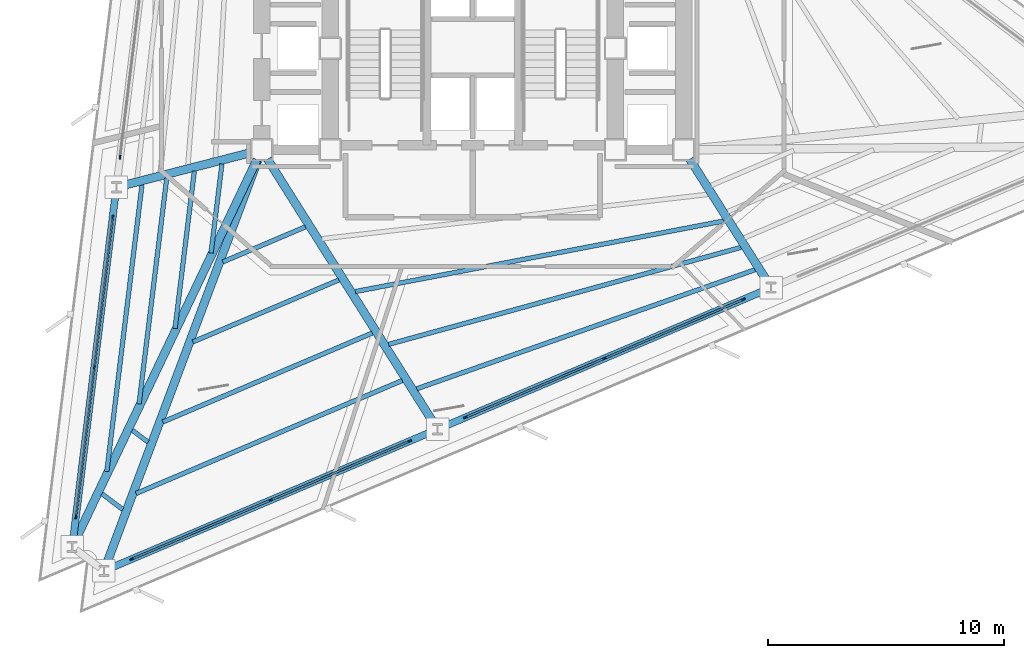
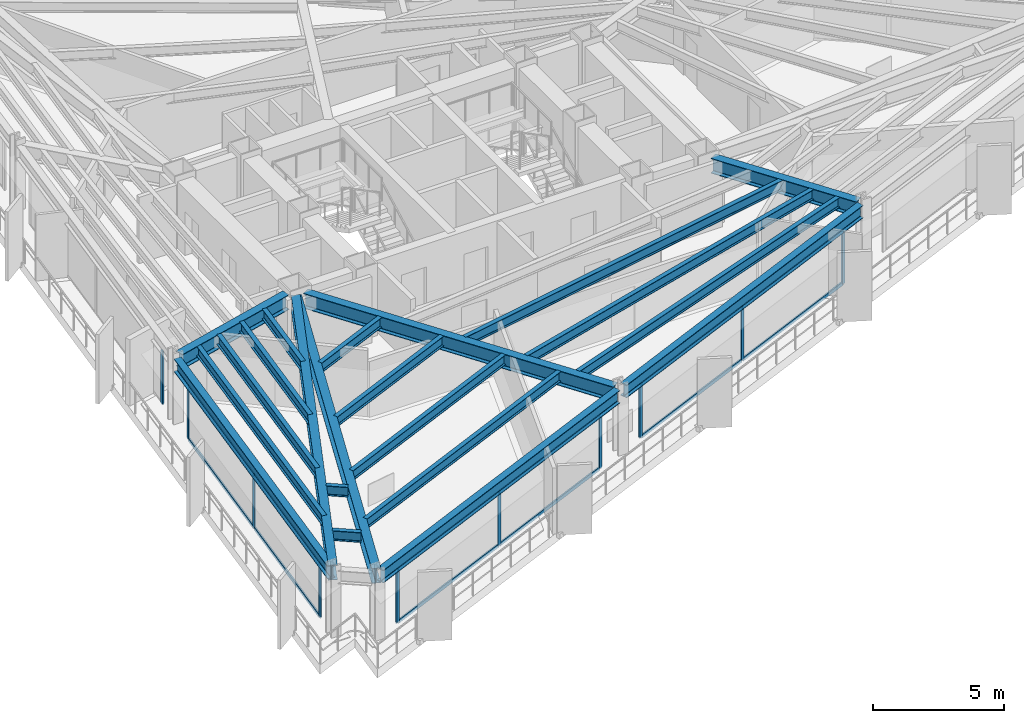
# One storey, part 2 of 13: 22 members, 21 beams, 4 elements without a shape of their own.
"""IFC4 building model written with IfcOpenShell, lengths in metres."""

from ifc_helpers import new_model, si_unit, direction, frame, origin, origin_2d, place, context, subcontext, project, spatial, rectangle, i_section, extrude, material, layer, layer_set, material_profile, profile_set, type_object, element, aggregate, save


model = new_model("IFC4")

# Units and contexts
model_context = context("Model", 3, precision=1e-05, world=origin(), true_north=direction((0.0, 1.0)))
body_context = subcontext(model_context, "Body", "Model", "MODEL_VIEW")
ifc_project = project(units=[si_unit("LENGTHUNIT", "METRE"), si_unit("AREAUNIT", "SQUARE_METRE"), si_unit("VOLUMEUNIT", "CUBIC_METRE"), si_unit("PLANEANGLEUNIT", "RADIAN"), si_unit("MASSUNIT", "GRAM", prefix="KILO")], contexts=[model_context])

# Site, building, storey
site_placement = place(None, origin())
site = spatial("IfcSite", under=ifc_project, at=site_placement, CompositionType="ELEMENT")
building_placement = place(site_placement, origin())
building = spatial("IfcBuilding", under=site, at=building_placement, Name="Rocaltana Carrier Exchange", CompositionType="ELEMENT")
storey_placement = place(building_placement, frame((0.0, 0.0, 49.60009765625)))
storey = spatial("IfcBuildingStorey", under=building, at=storey_placement, Name="L15", CompositionType="ELEMENT", Elevation=49.60009765625)

# Curtain wall, member
ifc_material_1 = material(Name="Aluminium 6063-T6", Category="aluminium")
ifc_layer = layer(ifc_material_1, 0.1650390625)
ifc_layer_set = layer_set([ifc_layer], Name="Aluminium 6063-T6")
curtain_wall_type = type_object("IfcCurtainWallType", Name="Lower-Mid Stepped Curtain Wall CW-02", PredefinedType="NOTDEFINED", material=ifc_layer_set)
curtain_wall_1_placement = place(storey_placement, origin())
curtain_wall_1 = element("IfcCurtainWall", 1, at=curtain_wall_1_placement, inside=storey, type_object=curtain_wall_type, Name="L15 CW-02 Run CW-L15-F2S2", PredefinedType="NOTDEFINED")
ifc_material_2 = material(Name="Aluminium 6063-T6", Category="aluminium")
ifc_material_profile_1 = material_profile(ifc_material_2, rectangle(XDim=0.06494140625, YDim=0.1650390625, at=origin_2d()), Name="AL-65X165")
ifc_profile_set_1 = profile_set([ifc_material_profile_1], Name="Aluminium 6063-T6")
member_type_1 = type_object("IfcMemberType", Name="CW-02 Mullion AL-65X165", PredefinedType="MULLION", material=ifc_profile_set_1)
member_1_placement = place(storey_placement, frame((-14.954345703125, -4.61279296875, 0.0), z_axis=(0.0, 0.0, 1.0), x_axis=(0.992545632614, -0.121873570472, 0.0)))
member_1 = element("IfcMember", 2, at=member_1_placement, type_object=member_type_1, Name="CW-02 mullion 3", PredefinedType="MULLION", context=body_context, shape_type="SweptSolid", body=[
    extrude(rectangle(XDim=0.06494140625, YDim=0.1650390625, at=origin_2d()), origin(), (0.0, 0.0, 1.0), 2.477783203125),
])
aggregate(curtain_wall_1, [member_1])

# Curtain wall, members
curtain_wall_2_placement = place(storey_placement, origin())
curtain_wall_2 = element("IfcCurtainWall", 3, at=curtain_wall_2_placement, inside=storey, type_object=curtain_wall_type, Name="L15 CW-02 Run CW-L15-F2S3", PredefinedType="NOTDEFINED")
member_2_placement = place(storey_placement, frame((-15.266845703125, -7.15869140625, 0.0), z_axis=(0.0, 0.0, 1.0), x_axis=(0.992544692438, -0.121881227076, 0.0)))
member_2 = element("IfcMember", 4, at=member_2_placement, type_object=member_type_1, Name="CW-02 mullion 1", PredefinedType="MULLION", context=body_context, shape_type="SweptSolid", body=[
    extrude(rectangle(XDim=0.06494140625, YDim=0.1650390625, at=origin_2d()), origin(), (0.0, 0.0, 1.0), 2.477783203125),
])
member_3_placement = place(storey_placement, frame((-16.047119140625, -13.51171875, 0.0), z_axis=(0.0, 0.0, 1.0), x_axis=(0.992544692438, -0.121881227076, 0.0)))
member_3 = element("IfcMember", 5, at=member_3_placement, type_object=member_type_1, Name="CW-02 mullion 2", PredefinedType="MULLION", context=body_context, shape_type="SweptSolid", body=[
    extrude(rectangle(XDim=0.06494140625, YDim=0.1650390625, at=origin_2d()), origin(), (0.0, 0.0, 1.0), 2.477783203125),
])
member_4_placement = place(storey_placement, frame((-16.8271484375, -19.86474609375, 0.0), z_axis=(0.0, 0.0, 1.0), x_axis=(0.992544692438, -0.121881227076, 0.0)))
member_4 = element("IfcMember", 6, at=member_4_placement, type_object=member_type_1, Name="CW-02 mullion 3", PredefinedType="MULLION", context=body_context, shape_type="SweptSolid", body=[
    extrude(rectangle(XDim=0.06494140625, YDim=0.1650390625, at=origin_2d()), origin(), (0.0, 0.0, 1.0), 2.477783203125),
])

curtain_wall_3_placement = place(storey_placement, origin())
curtain_wall_3 = element("IfcCurtainWall", 7, at=curtain_wall_3_placement, inside=storey, type_object=curtain_wall_type, Name="L15 CW-02 Run CW-L15-F3S1", PredefinedType="NOTDEFINED")
member_5_placement = place(storey_placement, frame((-14.457275390625, -21.650634765625, 0.0), z_axis=(0.0, 0.0, 1.0), x_axis=(-0.390728673724, 0.920505895435, 0.0)))
member_5 = element("IfcMember", 8, at=member_5_placement, type_object=member_type_1, Name="CW-02 mullion 1", PredefinedType="MULLION", context=body_context, shape_type="SweptSolid", body=[
    extrude(rectangle(XDim=0.06494140625, YDim=0.1650390625, at=origin_2d()), origin(), (0.0, 0.0, 1.0), 2.477783203125),
])
member_6_placement = place(storey_placement, frame((-8.565185546875, -19.149658203125, 0.0), z_axis=(0.0, 0.0, 1.0), x_axis=(-0.390728673724, 0.920505895435, 0.0)))
member_6 = element("IfcMember", 9, at=member_6_placement, type_object=member_type_1, Name="CW-02 mullion 2", PredefinedType="MULLION", context=body_context, shape_type="SweptSolid", body=[
    extrude(rectangle(XDim=0.06494140625, YDim=0.1650390625, at=origin_2d()), origin(), (0.0, 0.0, 1.0), 2.477783203125),
])
member_7_placement = place(storey_placement, frame((-2.673095703125, -16.648681640625, 0.0), z_axis=(0.0, 0.0, 1.0), x_axis=(-0.390728673724, 0.920505895435, 0.0)))
member_7 = element("IfcMember", 10, at=member_7_placement, type_object=member_type_1, Name="CW-02 mullion 3", PredefinedType="MULLION", context=body_context, shape_type="SweptSolid", body=[
    extrude(rectangle(XDim=0.06494140625, YDim=0.1650390625, at=origin_2d()), origin(), (0.0, 0.0, 1.0), 2.477783203125),
])

curtain_wall_4_placement = place(storey_placement, origin())
curtain_wall_4 = element("IfcCurtainWall", 11, at=curtain_wall_4_placement, inside=storey, type_object=curtain_wall_type, Name="L15 CW-02 Run CW-L15-F3S2", PredefinedType="NOTDEFINED")
member_8_placement = place(storey_placement, frame((-0.31201171875, -15.646484375, 0.0), z_axis=(0.0, 0.0, 1.0), x_axis=(-0.390728673724, 0.920505895435, 0.0)))
member_8 = element("IfcMember", 12, at=member_8_placement, type_object=member_type_1, Name="CW-02 mullion 1", PredefinedType="MULLION", context=body_context, shape_type="SweptSolid", body=[
    extrude(rectangle(XDim=0.06494140625, YDim=0.1650390625, at=origin_2d()), origin(), (0.0, 0.0, 1.0), 2.477783203125),
])
member_9_placement = place(storey_placement, frame((5.579833984375, -13.1455078125, 0.0), z_axis=(0.0, 0.0, 1.0), x_axis=(-0.390728673724, 0.920505895435, 0.0)))
member_9 = element("IfcMember", 13, at=member_9_placement, type_object=member_type_1, Name="CW-02 mullion 2", PredefinedType="MULLION", context=body_context, shape_type="SweptSolid", body=[
    extrude(rectangle(XDim=0.06494140625, YDim=0.1650390625, at=origin_2d()), origin(), (0.0, 0.0, 1.0), 2.477783203125),
])
member_10_placement = place(storey_placement, frame((11.471923828125, -10.64453125, 0.0), z_axis=(0.0, 0.0, 1.0), x_axis=(-0.390728673724, 0.920505895435, 0.0)))
member_10 = element("IfcMember", 14, at=member_10_placement, type_object=member_type_1, Name="CW-02 mullion 3", PredefinedType="MULLION", context=body_context, shape_type="SweptSolid", body=[
    extrude(rectangle(XDim=0.06494140625, YDim=0.1650390625, at=origin_2d()), origin(), (0.0, 0.0, 1.0), 2.477783203125),
])

# Member
ifc_material_3 = material(Name="Aluminium 6063-T6", Category="aluminium")
ifc_material_profile_2 = material_profile(ifc_material_3, rectangle(XDim=0.06494140625, YDim=0.1650390625, at=origin_2d()), Name="AL-65X165")
ifc_profile_set_2 = profile_set([ifc_material_profile_2], Name="Aluminium 6063-T6")
member_type_2 = type_object("IfcMemberType", Name="CW-02 Transom AL-65X165", PredefinedType="USERDEFINED", material=ifc_profile_set_2)
member_11_placement = place(storey_placement, frame((-15.270751953125, -7.19091796875, 0.032470703125), z_axis=(-0.121881311797, -0.992544682034, 0.0), x_axis=(0.992544682034, -0.121881311797, 0.0)))
member_11 = element("IfcMember", 15, at=member_11_placement, type_object=member_type_2, Name="CW-02 transom 1.1", ObjectType="TRANSOM", PredefinedType="USERDEFINED", context=body_context, shape_type="SweptSolid", body=[
    extrude(rectangle(XDim=0.06494140625, YDim=0.1650390625, at=origin_2d()), origin(), (0.0, 0.0, 1.0), 6.335693359375),
])

member_12_placement = place(storey_placement, frame((-15.270751953125, -7.19091796875, 2.4453125), z_axis=(-0.121881311797, -0.992544682034, 0.0), x_axis=(0.992544682034, -0.121881311797, 0.0)))
member_12 = element("IfcMember", 16, at=member_12_placement, type_object=member_type_2, Name="CW-02 transom 1.2", ObjectType="TRANSOM", PredefinedType="USERDEFINED", context=body_context, shape_type="SweptSolid", body=[
    extrude(rectangle(XDim=0.06494140625, YDim=0.1650390625, at=origin_2d()), origin(), (0.0, 0.0, 1.0), 6.335693359375),
])

member_13_placement = place(storey_placement, frame((-16.051025390625, -13.5439453125, 0.032470703125), z_axis=(-0.121881311797, -0.992544682034, 0.0), x_axis=(0.992544682034, -0.121881311797, 0.0)))
member_13 = element("IfcMember", 17, at=member_13_placement, type_object=member_type_2, Name="CW-02 transom 2.1", ObjectType="TRANSOM", PredefinedType="USERDEFINED", context=body_context, shape_type="SweptSolid", body=[
    extrude(rectangle(XDim=0.06494140625, YDim=0.1650390625, at=origin_2d()), origin(), (0.0, 0.0, 1.0), 6.335693359375),
])

member_14_placement = place(storey_placement, frame((-16.051025390625, -13.5439453125, 2.4453125), z_axis=(-0.121881311797, -0.992544682034, 0.0), x_axis=(0.992544682034, -0.121881311797, 0.0)))
member_14 = element("IfcMember", 18, at=member_14_placement, type_object=member_type_2, Name="CW-02 transom 2.2", ObjectType="TRANSOM", PredefinedType="USERDEFINED", context=body_context, shape_type="SweptSolid", body=[
    extrude(rectangle(XDim=0.06494140625, YDim=0.1650390625, at=origin_2d()), origin(), (0.0, 0.0, 1.0), 6.335693359375),
])

aggregate(curtain_wall_2, [member_2, member_3, member_4, member_11, member_12, member_13, member_14])

member_15_placement = place(storey_placement, frame((-14.42724609375, -21.637939453125, 0.032470703125), z_axis=(0.920508718486, 0.390722022916, 0.0), x_axis=(-0.390722022916, 0.920508718486, 0.0)))
member_15 = element("IfcMember", 19, at=member_15_placement, type_object=member_type_2, Name="CW-02 transom 1.1", ObjectType="TRANSOM", PredefinedType="USERDEFINED", context=body_context, shape_type="SweptSolid", body=[
    extrude(rectangle(XDim=0.06494140625, YDim=0.1650390625, at=origin_2d()), origin(), (0.0, 0.0, 1.0), 6.3359375),
])

member_16_placement = place(storey_placement, frame((-14.42724609375, -21.637939453125, 2.4453125), z_axis=(0.920508718486, 0.390722022916, 0.0), x_axis=(-0.390722022916, 0.920508718486, 0.0)))
member_16 = element("IfcMember", 20, at=member_16_placement, type_object=member_type_2, Name="CW-02 transom 1.2", ObjectType="TRANSOM", PredefinedType="USERDEFINED", context=body_context, shape_type="SweptSolid", body=[
    extrude(rectangle(XDim=0.06494140625, YDim=0.1650390625, at=origin_2d()), origin(), (0.0, 0.0, 1.0), 6.3359375),
])

member_17_placement = place(storey_placement, frame((-8.53515625, -19.136962890625, 0.032470703125), z_axis=(0.920502835622, 0.390735882167, 0.0), x_axis=(-0.390735882167, 0.920502835622, 0.0)))
member_17 = element("IfcMember", 21, at=member_17_placement, type_object=member_type_2, Name="CW-02 transom 2.1", ObjectType="TRANSOM", PredefinedType="USERDEFINED", context=body_context, shape_type="SweptSolid", body=[
    extrude(rectangle(XDim=0.06494140625, YDim=0.1650390625, at=origin_2d()), origin(), (0.0, 0.0, 1.0), 6.335693359375),
])

member_18_placement = place(storey_placement, frame((-8.53515625, -19.136962890625, 2.4453125), z_axis=(0.920502835622, 0.390735882167, 0.0), x_axis=(-0.390735882167, 0.920502835622, 0.0)))
member_18 = element("IfcMember", 22, at=member_18_placement, type_object=member_type_2, Name="CW-02 transom 2.2", ObjectType="TRANSOM", PredefinedType="USERDEFINED", context=body_context, shape_type="SweptSolid", body=[
    extrude(rectangle(XDim=0.06494140625, YDim=0.1650390625, at=origin_2d()), origin(), (0.0, 0.0, 1.0), 6.335693359375),
])

aggregate(curtain_wall_3, [member_5, member_6, member_7, member_15, member_16, member_17, member_18])

member_19_placement = place(storey_placement, frame((-0.2822265625, -15.6337890625, 0.032470703125), z_axis=(0.920508718486, 0.390722022916, 0.0), x_axis=(-0.390722022916, 0.920508718486, 0.0)))
member_19 = element("IfcMember", 23, at=member_19_placement, type_object=member_type_2, Name="CW-02 transom 1.1", ObjectType="TRANSOM", PredefinedType="USERDEFINED", context=body_context, shape_type="SweptSolid", body=[
    extrude(rectangle(XDim=0.06494140625, YDim=0.1650390625, at=origin_2d()), origin(), (0.0, 0.0, 1.0), 6.3359375),
])

member_20_placement = place(storey_placement, frame((-0.2822265625, -15.6337890625, 2.4453125), z_axis=(0.920508718486, 0.390722022916, 0.0), x_axis=(-0.390722022916, 0.920508718486, 0.0)))
member_20 = element("IfcMember", 24, at=member_20_placement, type_object=member_type_2, Name="CW-02 transom 1.2", ObjectType="TRANSOM", PredefinedType="USERDEFINED", context=body_context, shape_type="SweptSolid", body=[
    extrude(rectangle(XDim=0.06494140625, YDim=0.1650390625, at=origin_2d()), origin(), (0.0, 0.0, 1.0), 6.3359375),
])

member_21_placement = place(storey_placement, frame((5.60986328125, -13.1328125, 0.032470703125), z_axis=(0.920508718486, 0.390722022916, 0.0), x_axis=(-0.390722022916, 0.920508718486, 0.0)))
member_21 = element("IfcMember", 25, at=member_21_placement, type_object=member_type_2, Name="CW-02 transom 2.1", ObjectType="TRANSOM", PredefinedType="USERDEFINED", context=body_context, shape_type="SweptSolid", body=[
    extrude(rectangle(XDim=0.06494140625, YDim=0.1650390625, at=origin_2d()), origin(), (0.0, 0.0, 1.0), 6.3359375),
])

member_22_placement = place(storey_placement, frame((5.60986328125, -13.1328125, 2.4453125), z_axis=(0.920508718486, 0.390722022916, 0.0), x_axis=(-0.390722022916, 0.920508718486, 0.0)))
member_22 = element("IfcMember", 26, at=member_22_placement, type_object=member_type_2, Name="CW-02 transom 2.2", ObjectType="TRANSOM", PredefinedType="USERDEFINED", context=body_context, shape_type="SweptSolid", body=[
    extrude(rectangle(XDim=0.06494140625, YDim=0.1650390625, at=origin_2d()), origin(), (0.0, 0.0, 1.0), 6.3359375),
])

aggregate(curtain_wall_4, [member_8, member_9, member_10, member_19, member_20, member_21, member_22])

# Beams
ifc_material_4 = material(Name="Steel S355", Category="steel")
ifc_material_profile_3 = material_profile(ifc_material_4, i_section(OverallWidth=0.193115234375, OverallDepth=0.466064453125, WebThickness=0.011474609375, FlangeThickness=0.01904296875, FilletRadius=0.013916015625, at=origin_2d()), Name="W18X65")
ifc_profile_set_3 = profile_set([ifc_material_profile_3], Name="Steel S355")
beam_type_1 = type_object("IfcBeamType", Name="Floor Joist W18X65", PredefinedType="JOIST", material=ifc_profile_set_3)
beam_1_placement = place(storey_placement, frame((-10.63427734375, -4.8984375, 2.864990234375), z_axis=(-0.121879106214, -0.99254495287, 0.0), x_axis=(0.99254495287, -0.121879106214, 0.0)))
element("IfcBeam", 27, at=beam_1_placement, inside=storey, type_object=beam_type_1, Name="FJ-L15-07-1", PredefinedType="JOIST", context=body_context, shape_type="SweptSolid", body=[
    extrude(i_section(OverallWidth=0.193115234375, OverallDepth=0.466064453125, WebThickness=0.011474609375, FlangeThickness=0.01904296875, FilletRadius=0.013916015625, at=origin_2d()), origin(), (0.0, 0.0, 1.0), 3.805908203125),
])
beam_2_placement = place(storey_placement, frame((-11.8046875, -5.19970703125, 2.864990234375), z_axis=(-0.121894438401, -0.992543070041, 0.0), x_axis=(0.992543070041, -0.121894438401, 0.0)))
element("IfcBeam", 28, at=beam_2_placement, inside=storey, type_object=beam_type_1, Name="FJ-L15-07-2", PredefinedType="JOIST", context=body_context, shape_type="SweptSolid", body=[
    extrude(i_section(OverallWidth=0.193115234375, OverallDepth=0.466064453125, WebThickness=0.011474609375, FlangeThickness=0.01904296875, FilletRadius=0.013916015625, at=origin_2d()), origin(), (0.0, 0.0, 1.0), 6.7255859375),
])
beam_3_placement = place(storey_placement, frame((-12.975341796875, -5.5009765625, 2.864990234375), z_axis=(-0.121878614676, -0.992545013228, 0.0), x_axis=(0.992545013228, -0.121878614676, 0.0)))
element("IfcBeam", 29, at=beam_3_placement, inside=storey, type_object=beam_type_1, Name="FJ-L15-07-3", PredefinedType="JOIST", context=body_context, shape_type="SweptSolid", body=[
    extrude(i_section(OverallWidth=0.193115234375, OverallDepth=0.466064453125, WebThickness=0.011474609375, FlangeThickness=0.01904296875, FilletRadius=0.013916015625, at=origin_2d()), origin(), (0.0, 0.0, 1.0), 9.645263671875),
])
beam_4_placement = place(storey_placement, frame((-14.022705078125, -5.7705078125, 2.864990234375), z_axis=(-0.121874778131, -0.992545484326, 0.0), x_axis=(0.992545484326, -0.121874778131, 0.0)))
element("IfcBeam", 30, at=beam_4_placement, inside=storey, type_object=beam_type_1, Name="FJ-L15-07-4", PredefinedType="JOIST", context=body_context, shape_type="SweptSolid", body=[
    extrude(i_section(OverallWidth=0.193115234375, OverallDepth=0.466064453125, WebThickness=0.011474609375, FlangeThickness=0.01904296875, FilletRadius=0.013916015625, at=origin_2d()), origin(), (0.0, 0.0, 1.0), 12.257568359375),
])
beam_5_placement = place(storey_placement, frame((-14.436279296875, -16.189697265625, 2.864990234375), z_axis=(0.798596771992, -0.601866426845, 0.0), x_axis=(0.601866426845, 0.798596771992, 0.0)))
element("IfcBeam", 31, at=beam_5_placement, inside=storey, type_object=beam_type_1, Name="FJ-L15-08-3", PredefinedType="JOIST", context=body_context, shape_type="SweptSolid", body=[
    extrude(i_section(OverallWidth=0.193115234375, OverallDepth=0.466064453125, WebThickness=0.011474609375, FlangeThickness=0.01904296875, FilletRadius=0.013916015625, at=origin_2d()), origin(), (0.0, 0.0, 1.0), 0.83642578125),
])
beam_6_placement = place(storey_placement, frame((-15.7216796875, -18.8837890625, 2.864990234375), z_axis=(0.798673550691, -0.601764538193, 0.0), x_axis=(0.601764538193, 0.798673550691, 0.0)))
element("IfcBeam", 32, at=beam_6_placement, inside=storey, type_object=beam_type_1, Name="FJ-L15-08-4", PredefinedType="JOIST", context=body_context, shape_type="SweptSolid", body=[
    extrude(i_section(OverallWidth=0.193115234375, OverallDepth=0.466064453125, WebThickness=0.011474609375, FlangeThickness=0.01904296875, FilletRadius=0.013916015625, at=origin_2d()), origin(), (0.0, 0.0, 1.0), 1.10595703125),
])
beam_7_placement = place(storey_placement, frame((-10.597900390625, -9.052978515625, 2.864990234375), z_axis=(0.920509781797, 0.390719517834, 0.0), x_axis=(-0.390719517834, 0.920509781797, 0.0)))
element("IfcBeam", 33, at=beam_7_placement, inside=storey, type_object=beam_type_1, Name="FJ-L15-09-1", PredefinedType="JOIST", context=body_context, shape_type="SweptSolid", body=[
    extrude(i_section(OverallWidth=0.193115234375, OverallDepth=0.466064453125, WebThickness=0.011474609375, FlangeThickness=0.01904296875, FilletRadius=0.013916015625, at=origin_2d()), origin(), (0.0, 0.0, 1.0), 3.805908203125),
])
beam_8_placement = place(storey_placement, frame((-11.868408203125, -12.44482421875, 2.864990234375), z_axis=(0.920502665094, 0.390736283898, 0.0), x_axis=(-0.390736283898, 0.920502665094, 0.0)))
element("IfcBeam", 34, at=beam_8_placement, inside=storey, type_object=beam_type_1, Name="FJ-L15-09-2", PredefinedType="JOIST", context=body_context, shape_type="SweptSolid", body=[
    extrude(i_section(OverallWidth=0.193115234375, OverallDepth=0.466064453125, WebThickness=0.011474609375, FlangeThickness=0.01904296875, FilletRadius=0.013916015625, at=origin_2d()), origin(), (0.0, 0.0, 1.0), 6.7255859375),
])
beam_9_placement = place(storey_placement, frame((-13.13916015625, -15.836669921875, 2.864990234375), z_axis=(0.920512824991, 0.390712348188, 0.0), x_axis=(-0.390712348188, 0.920512824991, 0.0)))
element("IfcBeam", 35, at=beam_9_placement, inside=storey, type_object=beam_type_1, Name="FJ-L15-09-3", PredefinedType="JOIST", context=body_context, shape_type="SweptSolid", body=[
    extrude(i_section(OverallWidth=0.193115234375, OverallDepth=0.466064453125, WebThickness=0.011474609375, FlangeThickness=0.01904296875, FilletRadius=0.013916015625, at=origin_2d()), origin(), (0.0, 0.0, 1.0), 9.645263671875),
])
beam_10_placement = place(storey_placement, frame((-14.27587890625, -18.87158203125, 2.864990234375), z_axis=(0.92049843191, 0.39074625635, 0.0), x_axis=(-0.39074625635, 0.92049843191, 0.0)))
element("IfcBeam", 36, at=beam_10_placement, inside=storey, type_object=beam_type_1, Name="FJ-L15-09-4", PredefinedType="JOIST", context=body_context, shape_type="SweptSolid", body=[
    extrude(i_section(OverallWidth=0.193115234375, OverallDepth=0.466064453125, WebThickness=0.011474609375, FlangeThickness=0.01904296875, FilletRadius=0.013916015625, at=origin_2d()), origin(), (0.0, 0.0, 1.0), 12.25732421875),
])
beam_11_placement = place(storey_placement, frame((-4.978271484375, -10.31005859375, 2.864990234375), z_axis=(0.982142482744, 0.188138628647, 0.0), x_axis=(-0.188138628647, 0.982142482744, 0.0)))
element("IfcBeam", 37, at=beam_11_placement, inside=storey, type_object=beam_type_1, Name="FJ-L15-10-2", PredefinedType="JOIST", context=body_context, shape_type="SweptSolid", body=[
    extrude(i_section(OverallWidth=0.193115234375, OverallDepth=0.466064453125, WebThickness=0.011474609375, FlangeThickness=0.01904296875, FilletRadius=0.013916015625, at=origin_2d()), origin(), (0.0, 0.0, 1.0), 15.9326171875),
])
beam_12_placement = place(storey_placement, frame((-3.564453125, -12.5478515625, 2.864990234375), z_axis=(0.964150794225, 0.265354943415, 0.0), x_axis=(-0.265354943415, 0.964150794225, 0.0)))
element("IfcBeam", 38, at=beam_12_placement, inside=storey, type_object=beam_type_1, Name="FJ-L15-10-3", PredefinedType="JOIST", context=body_context, shape_type="SweptSolid", body=[
    extrude(i_section(OverallWidth=0.193115234375, OverallDepth=0.466064453125, WebThickness=0.011474609375, FlangeThickness=0.01904296875, FilletRadius=0.013916015625, at=origin_2d()), origin(), (0.0, 0.0, 1.0), 15.496337890625),
])
beam_13_placement = place(storey_placement, frame((-2.375, -14.431884765625, 2.864990234375), z_axis=(0.943283630241, 0.331987940924, 0.0), x_axis=(-0.331987940924, 0.943283630241, 0.0)))
element("IfcBeam", 39, at=beam_13_placement, inside=storey, type_object=beam_type_1, Name="FJ-L15-10-4", PredefinedType="JOIST", context=body_context, shape_type="SweptSolid", body=[
    extrude(i_section(OverallWidth=0.193115234375, OverallDepth=0.466064453125, WebThickness=0.011474609375, FlangeThickness=0.01904296875, FilletRadius=0.013916015625, at=origin_2d()), origin(), (0.0, 0.0, 1.0), 15.2099609375),
])
ifc_material_5 = material(Name="Steel S355", Category="steel")
ifc_material_profile_4 = material_profile(ifc_material_5, i_section(OverallWidth=0.35498046875, OverallDepth=0.695068359375, WebThickness=0.015380859375, FlangeThickness=0.02490234375, FilletRadius=0.01806640625, at=origin_2d()), Name="W27X146")
ifc_profile_set_4 = profile_set([ifc_material_profile_4], Name="Steel S355")
beam_type_2 = type_object("IfcBeamType", Name="Radial Girder W27X146", PredefinedType="BEAM", material=ifc_profile_set_4)
beam_14_placement = place(storey_placement, frame((-9.40234375, -4.41650390625, 2.75048828125), z_axis=(-0.968443537088, -0.249233054534, 0.0), x_axis=(0.249233054534, -0.968443537088, 0.0)))
element("IfcBeam", 40, at=beam_14_placement, inside=storey, type_object=beam_type_2, Name="RG-L15-07", PredefinedType="BEAM", context=body_context, shape_type="SweptSolid", body=[
    extrude(i_section(OverallWidth=0.35498046875, OverallDepth=0.695068359375, WebThickness=0.015380859375, FlangeThickness=0.02490234375, FilletRadius=0.01806640625, at=origin_2d()), origin(), (0.0, 0.0, 1.0), 5.6904296875),
])
beam_15_placement = place(storey_placement, frame((-9.151123046875, -4.721435546875, 2.75048828125), z_axis=(-0.430603189331, -0.902541352702, 0.0), x_axis=(0.902541352702, -0.430603189331, 0.0)))
element("IfcBeam", 41, at=beam_15_placement, inside=storey, type_object=beam_type_2, Name="RG-L15-08", PredefinedType="BEAM", context=body_context, shape_type="SweptSolid", body=[
    extrude(i_section(OverallWidth=0.35498046875, OverallDepth=0.695068359375, WebThickness=0.015380859375, FlangeThickness=0.02490234375, FilletRadius=0.01806640625, at=origin_2d()), origin(), (0.0, 0.0, 1.0), 17.98486328125),
])
beam_16_placement = place(storey_placement, frame((-9.11376953125, -4.7373046875, 2.75048828125), z_axis=(-0.350819393194, -0.936443139416, 0.0), x_axis=(0.936443139416, -0.350819393194, 0.0)))
element("IfcBeam", 42, at=beam_16_placement, inside=storey, type_object=beam_type_2, Name="RG-L15-09", PredefinedType="BEAM", context=body_context, shape_type="SweptSolid", body=[
    extrude(i_section(OverallWidth=0.35498046875, OverallDepth=0.695068359375, WebThickness=0.015380859375, FlangeThickness=0.02490234375, FilletRadius=0.01806640625, at=origin_2d()), origin(), (0.0, 0.0, 1.0), 18.392333984375),
])
beam_17_placement = place(storey_placement, frame((-8.701171875, -4.6953125, 2.75048828125), z_axis=(0.53269326445, -0.846308387061, 0.0), x_axis=(0.846308387061, 0.53269326445, 0.0)))
element("IfcBeam", 43, at=beam_17_placement, inside=storey, type_object=beam_type_2, Name="RG-L15-10", PredefinedType="BEAM", context=body_context, shape_type="SweptSolid", body=[
    extrude(i_section(OverallWidth=0.35498046875, OverallDepth=0.695068359375, WebThickness=0.015380859375, FlangeThickness=0.02490234375, FilletRadius=0.01806640625, at=origin_2d()), origin(), (0.0, 0.0, 1.0), 13.328125),
])
beam_18_placement = place(storey_placement, frame((9.199951171875, -4.694580078125, 2.75048828125), z_axis=(0.535212931664, -0.844717182127, 0.0), x_axis=(0.844717182127, 0.535212931664, 0.0)))
element("IfcBeam", 44, at=beam_18_placement, inside=storey, type_object=beam_type_2, Name="RG-L15-11", PredefinedType="BEAM", context=body_context, shape_type="SweptSolid", body=[
    extrude(i_section(OverallWidth=0.35498046875, OverallDepth=0.695068359375, WebThickness=0.015380859375, FlangeThickness=0.02490234375, FilletRadius=0.01806640625, at=origin_2d()), origin(), (0.0, 0.0, 1.0), 6.24658203125),
])
ifc_material_6 = material(Name="Steel S355", Category="steel")
ifc_material_profile_5 = material_profile(ifc_material_6, i_section(OverallWidth=0.300048828125, OverallDepth=0.60009765625, WebThickness=0.015380859375, FlangeThickness=0.030029296875, FilletRadius=0.027099609375, at=origin_2d()), Name="HEB600")
ifc_profile_set_5 = profile_set([ifc_material_profile_5], Name="Steel S355")
beam_type_3 = type_object("IfcBeamType", Name="Spandrel Edge Beam HEB600", PredefinedType="SPANDREL", material=ifc_profile_set_5)
for number, where, z_axis, x_axis, name in (
    (45, (-15.135498046875, -6.088134765625, 2.7978515625), (-0.121869017222, -0.992546191691, 0.0), (0.992546191691, -0.121869017222, 0.0), "SP-L15-07"),
    (46, (-15.449951171875, -22.072021484375, 2.7978515625), (0.920507081962, 0.390725878407, 0.0), (-0.390725878407, 0.920507081962, 0.0), "SP-L15-09"),
):
    element("IfcBeam", number, at=place(storey_placement, frame(where, z_axis=z_axis, x_axis=x_axis)), inside=storey, type_object=beam_type_3, Name=name, PredefinedType="SPANDREL", context=body_context, shape_type="SweptSolid", body=[
        extrude(i_section(OverallWidth=0.300048828125, OverallDepth=0.60009765625, WebThickness=0.015380859375, FlangeThickness=0.030029296875, FilletRadius=0.027099609375, at=origin_2d()), origin(), (0.0, 0.0, 1.0), 14.958740234375),
    ])
beam_19_placement = place(storey_placement, frame((-1.3046875, -16.06787109375, 2.7978515625), z_axis=(0.920504590225, 0.390731748613, 0.0), x_axis=(-0.390731748613, 0.920504590225, 0.0)))
element("IfcBeam", 47, at=beam_19_placement, inside=storey, type_object=beam_type_3, Name="SP-L15-10", PredefinedType="SPANDREL", context=body_context, shape_type="SweptSolid", body=[
    extrude(i_section(OverallWidth=0.300048828125, OverallDepth=0.60009765625, WebThickness=0.015380859375, FlangeThickness=0.030029296875, FilletRadius=0.027099609375, at=origin_2d()), origin(), (0.0, 0.0, 1.0), 14.95849609375),
])

save(model, "model.ifc")
